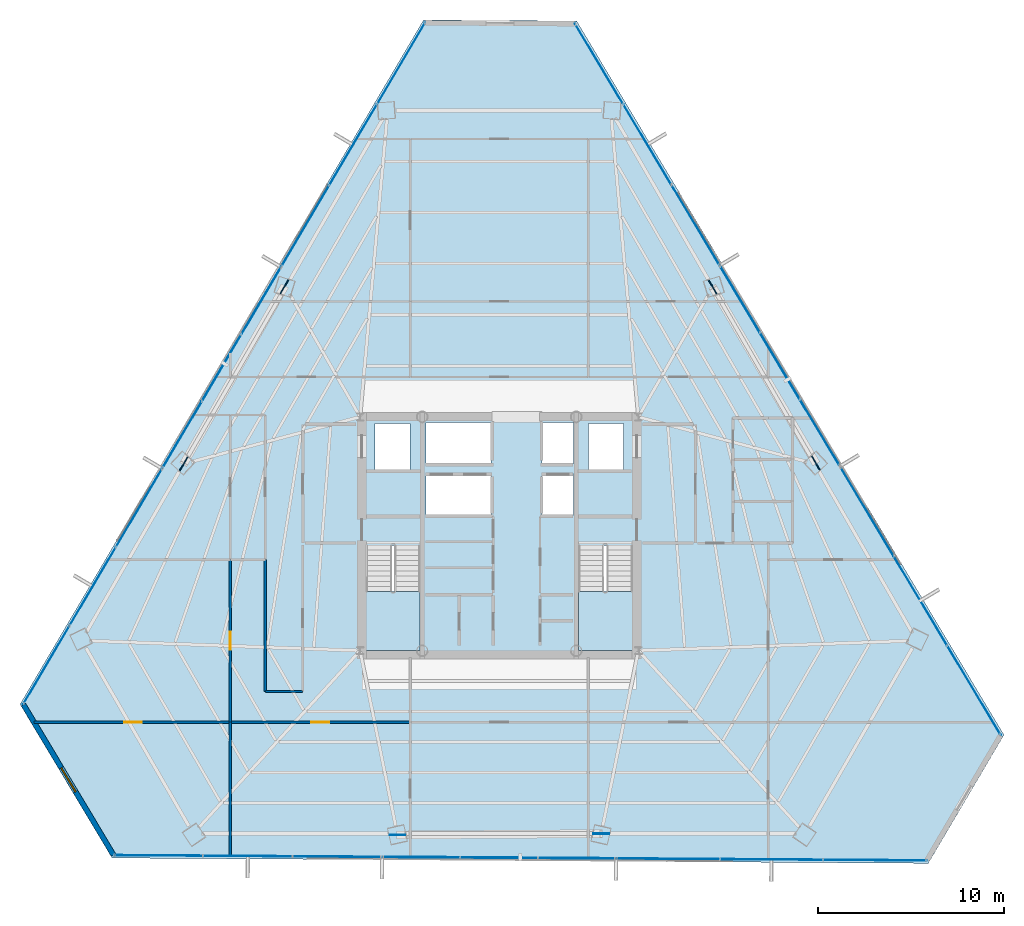
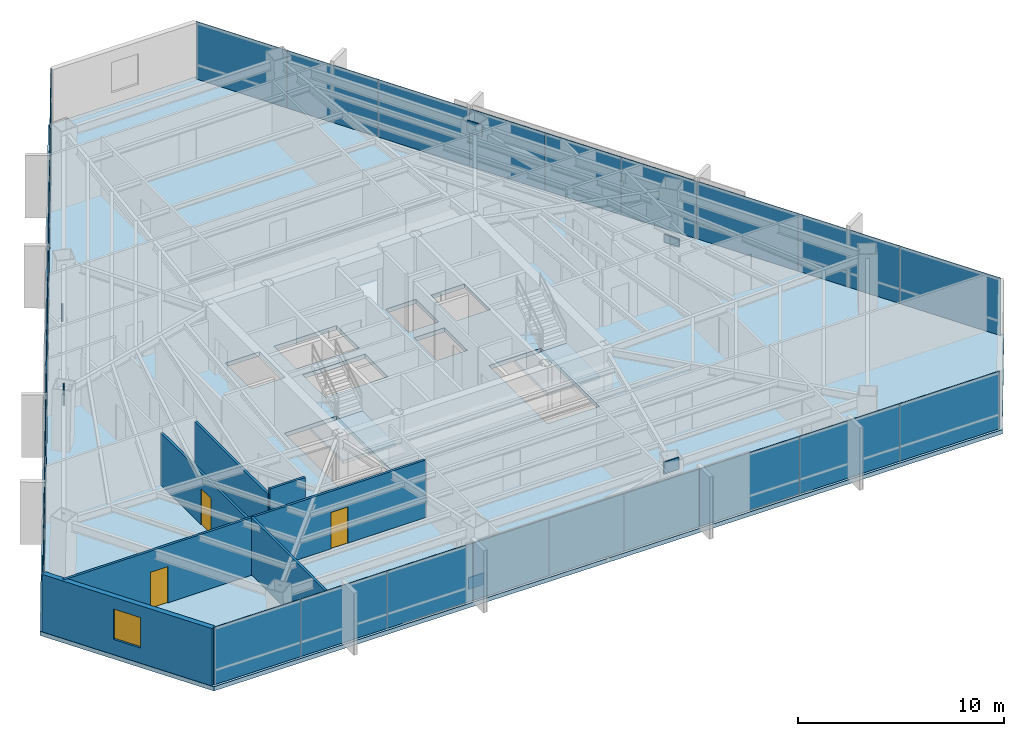
# One storey, part 35 of 41: 33 plates, 7 walls, 3 doors, 3 slabs, 1 window, 4 openings, 11 elements without a shape of their own.
"""IFC4 building model written with IfcOpenShell, lengths in metres."""

from ifc_helpers import new_model, si_unit, direction, frame, frame_2d, origin, origin_2d, place, context, subcontext, project, spatial, polyline, rectangle, outline, extrude, source, transform, mapped, material, layer, layer_set, type_object, type_shapes, element, fill, aggregate, save


model = new_model("IFC4")

# Units and contexts
model_context = context("Model", 3, precision=1e-05, world=origin(), true_north=direction((0.0, 1.0)))
body_context = subcontext(model_context, "Body", "Model", "MODEL_VIEW")
ifc_project = project(units=[si_unit("LENGTHUNIT", "METRE"), si_unit("AREAUNIT", "SQUARE_METRE"), si_unit("VOLUMEUNIT", "CUBIC_METRE"), si_unit("PLANEANGLEUNIT", "RADIAN"), si_unit("MASSUNIT", "GRAM", prefix="KILO")], contexts=[model_context])

# Site, building, storey
site_placement = place(None, origin())
site = spatial("IfcSite", under=ifc_project, at=site_placement, CompositionType="ELEMENT")
building_placement = place(site_placement, origin())
building = spatial("IfcBuilding", under=site, at=building_placement, Name="Caelisora Broadcast Tower", CompositionType="ELEMENT")
storey_placement = place(building_placement, frame((0.0, 0.0, 162.14990234375)))
storey = spatial("IfcBuildingStorey", under=building, at=storey_placement, Name="L42", CompositionType="ELEMENT", Elevation=162.14990234375)

# Slab
ifc_material_1 = material(Name="Concrete 40 MPa (AS 3600 N40)", Category="concrete")
ifc_layer_1 = layer(ifc_material_1, 0.25, Name="Concrete 40 MPa (AS 3600 N40)")
ifc_layer_set_1 = layer_set([ifc_layer_1], Name="Concrete 40 MPa (AS 3600 N40)")
slab_type_1 = type_object("IfcSlabType", Name="SL04", PredefinedType="FLOOR", material=ifc_layer_set_1)
slab_1_placement = place(storey_placement, frame((0.0, 0.0, -0.25)))
element("IfcSlab", 1, at=slab_1_placement, inside=storey, type_object=slab_type_1, Name="L42 suspended floor SL04", PredefinedType="FLOOR", context=body_context, shape_type="SweptSolid", body=[
    extrude(outline(polyline([(42.174072265625, 51.337890625), (33.919921875, 51.39208984375), (12.1708984375, 14.509033203125), (17.12890625, 6.22509765625), (61.126953125, 5.93701171875), (65.20703125, 12.85595703125), (42.174072265625, 51.337890625)]), holes=[polyline([(30.820068359375, 17.39990234375), (33.739990234375, 17.39990234375), (33.739990234375, 23.080078125), (30.820068359375, 23.080078125), (30.820068359375, 17.39990234375)]), polyline([(42.260009765625, 17.39990234375), (45.179931640625, 17.39990234375), (45.179931640625, 23.080078125), (42.260009765625, 23.080078125), (42.260009765625, 17.39990234375)]), polyline([(42.800048828125, 27.14990234375), (44.699951171875, 27.14990234375), (44.699951171875, 29.64990234375), (42.800048828125, 29.64990234375), (42.800048828125, 27.14990234375)]), polyline([(40.300048828125, 24.719970703125), (42.0, 24.719970703125), (42.0, 26.919921875), (40.300048828125, 26.919921875), (40.300048828125, 24.719970703125)]), polyline([(40.300048828125, 27.5), (42.0, 27.5), (42.0, 29.699951171875), (40.300048828125, 29.699951171875), (40.300048828125, 27.5)]), polyline([(34.050048828125, 24.719970703125), (37.550048828125, 24.719970703125), (37.550048828125, 26.919921875), (34.050048828125, 26.919921875), (34.050048828125, 24.719970703125)]), polyline([(34.050048828125, 27.5), (37.550048828125, 27.5), (37.550048828125, 29.699951171875), (34.050048828125, 29.699951171875), (34.050048828125, 27.5)]), polyline([(31.300048828125, 27.14990234375), (33.199951171875, 27.14990234375), (33.199951171875, 29.64990234375), (31.300048828125, 29.64990234375), (31.300048828125, 27.14990234375)])]), origin(), (0.0, 0.0, 1.0), 0.25),
])

# Stair, slab
stair_type_1 = type_object("IfcStairType", Name="ST-1", PredefinedType="HALF_TURN_STAIR", material=ifc_material_1)
stair_1_placement = place(storey_placement, origin())
stair_1 = element("IfcStair", 2, at=stair_1_placement, inside=storey, type_object=stair_type_1, Name="L42 West Fire-Isolated Tower Stair", PredefinedType="HALF_TURN_STAIR")
ifc_layer_2 = layer(ifc_material_1, 0.199951171875, Name="Concrete 40 MPa (AS 3600 N40)")
ifc_layer_set_2 = layer_set([ifc_layer_2], Name="Concrete 40 MPa (AS 3600 N40)")
slab_type_2 = type_object("IfcSlabType", Name="STL-1", PredefinedType="LANDING", material=ifc_layer_set_2)
slab_2_placement = place(storey_placement, frame((0.0, 0.0, 1.625)))
slab_2 = element("IfcSlab", 3, at=slab_2_placement, type_object=slab_type_2, Name="ST-1 landing 1", PredefinedType="LANDING", context=body_context, shape_type="SweptSolid", body=[
    extrude(outline(polyline([(30.820068359375, 20.580078125), (30.820068359375, 17.39990234375), (33.739990234375, 17.39990234375), (33.739990234375, 20.580078125), (30.820068359375, 20.580078125)])), origin(), (0.0, 0.0, 1.0), 0.2001953125),
])
aggregate(stair_1, [slab_2])

stair_type_2 = type_object("IfcStairType", Name="ST-2", PredefinedType="HALF_TURN_STAIR", material=ifc_material_1)
stair_2_placement = place(storey_placement, origin())
stair_2 = element("IfcStair", 4, at=stair_2_placement, inside=storey, type_object=stair_type_2, Name="L42 East Fire-Isolated Tower Stair", PredefinedType="HALF_TURN_STAIR")
slab_3_placement = place(storey_placement, frame((0.0, 0.0, 1.625)))
slab_3 = element("IfcSlab", 5, at=slab_3_placement, type_object=slab_type_2, Name="ST-2 landing 1", PredefinedType="LANDING", context=body_context, shape_type="SweptSolid", body=[
    extrude(outline(polyline([(42.260009765625, 20.580078125), (42.260009765625, 17.39990234375), (45.179931640625, 17.39990234375), (45.179931640625, 20.580078125), (42.260009765625, 20.580078125)])), origin(), (0.0, 0.0, 1.0), 0.2001953125),
])
aggregate(stair_2, [slab_3])

# Plates
ifc_material_2 = material(Name="Steel Grade 350 L15 (AS/NZS 3678)", Category="steel")
ifc_layer_3 = layer(ifc_material_2, 0.050048828125, Name="Steel Grade 350 L15 (AS/NZS 3678)")
ifc_layer_set_3 = layer_set([ifc_layer_3], Name="Steel Grade 350 L15 (AS/NZS 3678)")
plate_type_1 = type_object("IfcPlateType", Name="GP03", PredefinedType="USERDEFINED", material=ifc_layer_set_3)
shared_shape_1 = source(origin(), body_context, "Body", "SweptSolid", [
    extrude(rectangle(XDim=0.85009765625, YDim=0.050048828125, at=origin_2d()), origin(), (0.0, 0.0, 1.0), 0.699951171875),
])
type_shapes(plate_type_1, [shared_shape_1])
for number, where, z_axis, x_axis, name in (
    (6, (26.421142578125, 37.0146484375, -0.22998046875), (0.0, 0.0, 1.0), (-0.5, -0.866025403784, 0.0), "L42 gusset plate GP03 (ND-L42-C02B)"),
    (7, (20.993896484375, 27.469970703125, 2.72998046875), (0.0, 0.0, 1.0), (-0.5, -0.866025403784, 0.0), "L42 gusset plate GP03 (ND-L42-C03T)"),
    (8, (32.5185546875, 7.465087890625, -0.22998046875), (0.0, 0.0, 1.0), (1.0, 0.0, 0.0), "L42 gusset plate GP03 (ND-L42-C06B)"),
    (9, (43.497802734375, 7.537353515625, 2.72998046875), (0.0, 0.0, 1.0), (1.0, 0.0, 0.0), "L42 gusset plate GP03 (ND-L42-C07T)"),
    (10, (55.060302734375, 27.520263671875, -0.22998046875), (0.0, 0.0, 1.0), (-0.5, 0.866025403784, 0.0), "L42 gusset plate GP03 (ND-L42-C10B)"),
    (11, (49.508056640625, 36.99267578125, 2.72998046875), (0.0, 0.0, 1.0), (-0.5, 0.866025403784, 0.0), "L42 gusset plate GP03 (ND-L42-C11T)"),
):
    element("IfcPlate", number, at=place(storey_placement, frame(where, z_axis=z_axis, x_axis=x_axis)), inside=storey, type_object=plate_type_1, Name=name, ObjectType="GUSSET PLATE", PredefinedType="USERDEFINED", context=body_context, shape_type="MappedRepresentation", body=[
        mapped(shared_shape_1, transform((0.0, 0.0, 0.0), scale=1.0)),
    ])

# Curtain wall, plates
ifc_material_3 = material(Name="Unitised Aluminium and Low-E Glass Curtain Wall", Category="glass")
curtain_wall_type_1 = type_object("IfcCurtainWallType", Name="CW-Z3", PredefinedType="NOTDEFINED", material=ifc_material_3)
curtain_wall_1_placement = place(storey_placement, origin())
curtain_wall_1 = element("IfcCurtainWall", 12, at=curtain_wall_1_placement, inside=storey, type_object=curtain_wall_type_1, Name="L42 curtain wall CW-Z3", PredefinedType="NOTDEFINED")
ifc_material_4 = material(Name="Double Glazed Low-E Argon IGU", Category="glass")
ifc_layer_4 = layer(ifc_material_4, 0.031982421875, Name="Double Glazed Low-E Argon IGU")
ifc_layer_set_4 = layer_set([ifc_layer_4], Name="Double Glazed Low-E Argon IGU")
plate_type_2 = type_object("IfcPlateType", Name="CWP-04", PredefinedType="CURTAIN_PANEL", material=ifc_layer_set_4)
shared_shape_2 = source(origin(), body_context, "Body", "SweptSolid", [
    extrude(rectangle(XDim=5.0595703125, YDim=0.031982421875, at=origin_2d()), origin(), (0.0, 0.0, 1.0), 3.39990234375),
])
plate_1_placement = place(storey_placement, frame((43.38818359375, 49.018310546875, 0.000244140625), z_axis=(0.0, 0.0, 1.0), x_axis=(0.513541252058, -0.858064905724, 0.0)))
plate_1 = element("IfcPlate", 13, at=plate_1_placement, type_object=plate_type_2, Name="L42-CW-B01 glazed panel #1", PredefinedType="CURTAIN_PANEL", context=body_context, shape_type="MappedRepresentation", body=[
    mapped(shared_shape_2, transform((0.0, 0.0, 0.0), scale=1.0)),
])
plate_2_placement = place(storey_placement, frame((45.98681640625, 44.677001953125, 0.000244140625), z_axis=(0.0, 0.0, 1.0), x_axis=(0.513541252058, -0.858064905724, 0.0)))
plate_2 = element("IfcPlate", 14, at=plate_2_placement, type_object=plate_type_2, Name="L42-CW-B01 glazed panel #2", PredefinedType="CURTAIN_PANEL", context=body_context, shape_type="MappedRepresentation", body=[
    mapped(shared_shape_2, transform((0.0, 0.0, 0.0), scale=1.0)),
])
plate_3_placement = place(storey_placement, frame((48.585205078125, 40.33544921875, 0.000244140625), z_axis=(0.0, 0.0, 1.0), x_axis=(0.513541252058, -0.858064905724, 0.0)))
plate_3 = element("IfcPlate", 15, at=plate_3_placement, type_object=plate_type_2, Name="L42-CW-B01 glazed panel #3", PredefinedType="CURTAIN_PANEL", context=body_context, shape_type="MappedRepresentation", body=[
    mapped(shared_shape_2, transform((0.0, 0.0, 0.0), scale=1.0)),
])
aggregate(curtain_wall_1, [plate_1, plate_2, plate_3])

ifc_material_5 = material(Name="Unitised Aluminium Insulated Shadow-Box Spandrel Curtain Wall", Category="aluminium")
curtain_wall_type_2 = type_object("IfcCurtainWallType", Name="CW-SP2", PredefinedType="NOTDEFINED", material=ifc_material_5)
curtain_wall_2_placement = place(storey_placement, origin())
curtain_wall_2 = element("IfcCurtainWall", 16, at=curtain_wall_2_placement, inside=storey, type_object=curtain_wall_type_2, Name="L42 curtain wall CW-SP2", PredefinedType="NOTDEFINED")
ifc_material_6 = material(Name="Insulated Terracotta Shadow-Box Spandrel Panel", Category="aluminium")
ifc_layer_5 = layer(ifc_material_6, 0.0439453125, Name="Insulated Terracotta Shadow-Box Spandrel Panel")
ifc_layer_set_5 = layer_set([ifc_layer_5], Name="Insulated Terracotta Shadow-Box Spandrel Panel")
plate_type_3 = type_object("IfcPlateType", Name="CWP-10", PredefinedType="CURTAIN_PANEL", material=ifc_layer_set_5)
shared_shape_3 = source(origin(), body_context, "Body", "SweptSolid", [
    extrude(rectangle(XDim=4.20068359375, YDim=0.0439453125, at=origin_2d()), origin(), (0.0, 0.0, 1.0), 3.39990234375),
])
plate_4_placement = place(storey_placement, frame((50.96826171875, 36.35400390625, 0.000244140625), z_axis=(0.0, 0.0, 1.0), x_axis=(0.513541252058, -0.858064905724, 0.0)))
plate_4 = element("IfcPlate", 17, at=plate_4_placement, type_object=plate_type_3, Name="L42-CW-B02 spandrel panel #1", PredefinedType="CURTAIN_PANEL", context=body_context, shape_type="MappedRepresentation", body=[
    mapped(shared_shape_3, transform((0.0, 0.0, 0.0), scale=1.0)),
])
plate_5_placement = place(storey_placement, frame((53.12548828125, 32.749755859375, 0.000244140625), z_axis=(0.0, 0.0, 1.0), x_axis=(0.513541252058, -0.858064905724, 0.0)))
plate_5 = element("IfcPlate", 18, at=plate_5_placement, type_object=plate_type_3, Name="L42-CW-B02 spandrel panel #2", PredefinedType="CURTAIN_PANEL", context=body_context, shape_type="MappedRepresentation", body=[
    mapped(shared_shape_3, transform((0.0, 0.0, 0.0), scale=1.0)),
])
plate_6_placement = place(storey_placement, frame((55.28271484375, 29.1455078125, 0.000244140625), z_axis=(0.0, 0.0, 1.0), x_axis=(0.513541252058, -0.858064905724, 0.0)))
plate_6 = element("IfcPlate", 19, at=plate_6_placement, type_object=plate_type_3, Name="L42-CW-B02 spandrel panel #3", PredefinedType="CURTAIN_PANEL", context=body_context, shape_type="MappedRepresentation", body=[
    mapped(shared_shape_3, transform((0.0, 0.0, 0.0), scale=1.0)),
])
aggregate(curtain_wall_2, [plate_4, plate_5, plate_6])

curtain_wall_3_placement = place(storey_placement, origin())
curtain_wall_3 = element("IfcCurtainWall", 20, at=curtain_wall_3_placement, inside=storey, type_object=curtain_wall_type_1, Name="L42 curtain wall CW-Z3", PredefinedType="NOTDEFINED")
shared_shape_4 = source(origin(), body_context, "Body", "SweptSolid", [
    extrude(rectangle(XDim=5.625, YDim=0.031982421875, at=origin_2d()), origin(), (0.0, 0.0, 1.0), 3.39990234375),
])
plate_7_placement = place(storey_placement, frame((57.810791015625, 24.92138671875, 0.000244140625), z_axis=(0.0, 0.0, 1.0), x_axis=(0.513541252058, -0.858064905724, 0.0)))
plate_7 = element("IfcPlate", 21, at=plate_7_placement, type_object=plate_type_2, Name="L42-CW-B03 glazed panel #1", PredefinedType="CURTAIN_PANEL", context=body_context, shape_type="MappedRepresentation", body=[
    mapped(shared_shape_4, transform((0.0, 0.0, 0.0), scale=1.0)),
])
plate_8_placement = place(storey_placement, frame((60.69970703125, 20.094970703125, 0.000244140625), z_axis=(0.0, 0.0, 1.0), x_axis=(0.513541252058, -0.858064905724, 0.0)))
plate_8 = element("IfcPlate", 22, at=plate_8_placement, type_object=plate_type_2, Name="L42-CW-B03 glazed panel #2", PredefinedType="CURTAIN_PANEL", context=body_context, shape_type="MappedRepresentation", body=[
    mapped(shared_shape_4, transform((0.0, 0.0, 0.0), scale=1.0)),
])
plate_9_placement = place(storey_placement, frame((63.588623046875, 15.268310546875, 0.000244140625), z_axis=(0.0, 0.0, 1.0), x_axis=(0.513541252058, -0.858064905724, 0.0)))
plate_9 = element("IfcPlate", 23, at=plate_9_placement, type_object=plate_type_2, Name="L42-CW-B03 glazed panel #3", PredefinedType="CURTAIN_PANEL", context=body_context, shape_type="MappedRepresentation", body=[
    mapped(shared_shape_4, transform((0.0, 0.0, 0.0), scale=1.0)),
])
aggregate(curtain_wall_3, [plate_7, plate_8, plate_9])

curtain_wall_4_placement = place(storey_placement, origin())
curtain_wall_4 = element("IfcCurtainWall", 24, at=curtain_wall_4_placement, inside=storey, type_object=curtain_wall_type_1, Name="L42 curtain wall CW-Z3", PredefinedType="NOTDEFINED")
shared_shape_5 = source(origin(), body_context, "Body", "SweptSolid", [
    extrude(rectangle(XDim=5.57958984375, YDim=0.031982421875, at=origin_2d()), origin(), (0.0, 0.0, 1.0), 3.39990234375),
])
plate_10_placement = place(storey_placement, frame((58.252197265625, 6.106201171875, 0.000244140625), z_axis=(0.0, 0.0, 1.0), x_axis=(-0.99997914901, 0.006457673349, 0.0)))
plate_10 = element("IfcPlate", 25, at=plate_10_placement, type_object=plate_type_2, Name="L42-CW-B05 glazed panel #1", PredefinedType="CURTAIN_PANEL", context=body_context, shape_type="MappedRepresentation", body=[
    mapped(shared_shape_5, transform((0.0, 0.0, 0.0), scale=1.0)),
])
plate_11_placement = place(storey_placement, frame((52.672607421875, 6.142578125, 0.000244140625), z_axis=(0.0, 0.0, 1.0), x_axis=(-0.99997914901, 0.006457673349, 0.0)))
plate_11 = element("IfcPlate", 26, at=plate_11_placement, type_object=plate_type_2, Name="L42-CW-B05 glazed panel #2", PredefinedType="CURTAIN_PANEL", context=body_context, shape_type="MappedRepresentation", body=[
    mapped(shared_shape_5, transform((0.0, 0.0, 0.0), scale=1.0)),
])
plate_12_placement = place(storey_placement, frame((47.093017578125, 6.178955078125, 0.000244140625), z_axis=(0.0, 0.0, 1.0), x_axis=(-0.99997914901, 0.006457673349, 0.0)))
plate_12 = element("IfcPlate", 27, at=plate_12_placement, type_object=plate_type_2, Name="L42-CW-B05 glazed panel #3", PredefinedType="CURTAIN_PANEL", context=body_context, shape_type="MappedRepresentation", body=[
    mapped(shared_shape_5, transform((0.0, 0.0, 0.0), scale=1.0)),
])
aggregate(curtain_wall_4, [plate_10, plate_11, plate_12])

curtain_wall_5_placement = place(storey_placement, origin())
curtain_wall_5 = element("IfcCurtainWall", 28, at=curtain_wall_5_placement, inside=storey, type_object=curtain_wall_type_2, Name="L42 curtain wall CW-SP2", PredefinedType="NOTDEFINED")
shared_shape_6 = source(origin(), body_context, "Body", "SweptSolid", [
    extrude(rectangle(XDim=4.200927734375, YDim=0.0439453125, at=origin_2d()), origin(), (0.0, 0.0, 1.0), 3.39990234375),
])
type_shapes(plate_type_3, [shared_shape_3, shared_shape_6])
plate_13_placement = place(storey_placement, frame((42.19287109375, 6.2109375, 0.000244140625), z_axis=(0.0, 0.0, 1.0), x_axis=(-0.99997914901, 0.006457673349, 0.0)))
plate_13 = element("IfcPlate", 29, at=plate_13_placement, type_object=plate_type_3, Name="L42-CW-B06 spandrel panel #1", PredefinedType="CURTAIN_PANEL", context=body_context, shape_type="MappedRepresentation", body=[
    mapped(shared_shape_6, transform((0.0, 0.0, 0.0), scale=1.0)),
])
plate_14_placement = place(storey_placement, frame((37.991943359375, 6.23828125, 0.000244140625), z_axis=(0.0, 0.0, 1.0), x_axis=(-0.99997914901, 0.006457673349, 0.0)))
plate_14 = element("IfcPlate", 30, at=plate_14_placement, type_object=plate_type_3, Name="L42-CW-B06 spandrel panel #2", PredefinedType="CURTAIN_PANEL", context=body_context, shape_type="MappedRepresentation", body=[
    mapped(shared_shape_6, transform((0.0, 0.0, 0.0), scale=1.0)),
])
plate_15_placement = place(storey_placement, frame((33.791259765625, 6.265869140625, 0.000244140625), z_axis=(0.0, 0.0, 1.0), x_axis=(-0.99997914901, 0.006457673349, 0.0)))
plate_15 = element("IfcPlate", 31, at=plate_15_placement, type_object=plate_type_3, Name="L42-CW-B06 spandrel panel #3", PredefinedType="CURTAIN_PANEL", context=body_context, shape_type="MappedRepresentation", body=[
    mapped(shared_shape_6, transform((0.0, 0.0, 0.0), scale=1.0)),
])
aggregate(curtain_wall_5, [plate_13, plate_14, plate_15])

curtain_wall_6_placement = place(storey_placement, origin())
curtain_wall_6 = element("IfcCurtainWall", 32, at=curtain_wall_6_placement, inside=storey, type_object=curtain_wall_type_2, Name="L42 curtain wall CW-SP2", PredefinedType="NOTDEFINED")
plate_16_placement = place(storey_placement, frame((20.905517578125, 29.02685546875, 0.000244140625), z_axis=(0.0, 0.0, 1.0), x_axis=(0.507989441341, 0.861363295878, 0.0)))
plate_16 = element("IfcPlate", 33, at=plate_16_placement, type_object=plate_type_3, Name="L42-CW-B10 spandrel panel #1", PredefinedType="CURTAIN_PANEL", context=body_context, shape_type="MappedRepresentation", body=[
    mapped(shared_shape_6, transform((0.0, 0.0, 0.0), scale=1.0)),
])
plate_17_placement = place(storey_placement, frame((23.039306640625, 32.6455078125, 0.000244140625), z_axis=(0.0, 0.0, 1.0), x_axis=(0.507989441341, 0.861363295878, 0.0)))
plate_17 = element("IfcPlate", 34, at=plate_17_placement, type_object=plate_type_3, Name="L42-CW-B10 spandrel panel #2", PredefinedType="CURTAIN_PANEL", context=body_context, shape_type="MappedRepresentation", body=[
    mapped(shared_shape_6, transform((0.0, 0.0, 0.0), scale=1.0)),
])
plate_18_placement = place(storey_placement, frame((25.173095703125, 36.263916015625, 0.000244140625), z_axis=(0.0, 0.0, 1.0), x_axis=(0.507989441341, 0.861363295878, 0.0)))
plate_18 = element("IfcPlate", 35, at=plate_18_placement, type_object=plate_type_3, Name="L42-CW-B10 spandrel panel #3", PredefinedType="CURTAIN_PANEL", context=body_context, shape_type="MappedRepresentation", body=[
    mapped(shared_shape_6, transform((0.0, 0.0, 0.0), scale=1.0)),
])
aggregate(curtain_wall_6, [plate_16, plate_17, plate_18])

curtain_wall_7_placement = place(storey_placement, origin())
curtain_wall_7 = element("IfcCurtainWall", 36, at=curtain_wall_7_placement, inside=storey, type_object=curtain_wall_type_1, Name="L42 curtain wall CW-Z3", PredefinedType="NOTDEFINED")
shared_shape_7 = source(origin(), body_context, "Body", "SweptSolid", [
    extrude(rectangle(XDim=4.822509765625, YDim=0.031982421875, at=origin_2d()), origin(), (0.0, 0.0, 1.0), 3.39990234375),
])
plate_19_placement = place(storey_placement, frame((29.26953125, 6.29541015625, 0.000244140625), z_axis=(0.0, 0.0, 1.0), x_axis=(-0.99997914901, 0.006457673349, 0.0)))
plate_19 = element("IfcPlate", 37, at=plate_19_placement, type_object=plate_type_2, Name="L42-CW-B07 glazed panel #1", PredefinedType="CURTAIN_PANEL", context=body_context, shape_type="MappedRepresentation", body=[
    mapped(shared_shape_7, transform((0.0, 0.0, 0.0), scale=1.0)),
])
plate_20_placement = place(storey_placement, frame((24.447509765625, 6.326904296875, 0.000244140625), z_axis=(0.0, 0.0, 1.0), x_axis=(-0.99997914901, 0.006457673349, 0.0)))
plate_20 = element("IfcPlate", 38, at=plate_20_placement, type_object=plate_type_2, Name="L42-CW-B07 glazed panel #2", PredefinedType="CURTAIN_PANEL", context=body_context, shape_type="MappedRepresentation", body=[
    mapped(shared_shape_7, transform((0.0, 0.0, 0.0), scale=1.0)),
])
plate_21_placement = place(storey_placement, frame((19.625, 6.3583984375, 0.000244140625), z_axis=(0.0, 0.0, 1.0), x_axis=(-0.99997914901, 0.006457673349, 0.0)))
plate_21 = element("IfcPlate", 39, at=plate_21_placement, type_object=plate_type_2, Name="L42-CW-B07 glazed panel #3", PredefinedType="CURTAIN_PANEL", context=body_context, shape_type="MappedRepresentation", body=[
    mapped(shared_shape_7, transform((0.0, 0.0, 0.0), scale=1.0)),
])
aggregate(curtain_wall_7, [plate_19, plate_20, plate_21])

curtain_wall_8_placement = place(storey_placement, origin())
curtain_wall_8 = element("IfcCurtainWall", 40, at=curtain_wall_8_placement, inside=storey, type_object=curtain_wall_type_1, Name="L42 curtain wall CW-Z3", PredefinedType="NOTDEFINED")
shared_shape_8 = source(origin(), body_context, "Body", "SweptSolid", [
    extrude(rectangle(XDim=4.914306640625, YDim=0.031982421875, at=origin_2d()), origin(), (0.0, 0.0, 1.0), 3.39990234375),
])
plate_22_placement = place(storey_placement, frame((13.593017578125, 16.62646484375, 0.000244140625), z_axis=(0.0, 0.0, 1.0), x_axis=(0.507989441341, 0.861363295878, 0.0)))
plate_22 = element("IfcPlate", 41, at=plate_22_placement, type_object=plate_type_2, Name="L42-CW-B09 glazed panel #1", PredefinedType="CURTAIN_PANEL", context=body_context, shape_type="MappedRepresentation", body=[
    mapped(shared_shape_8, transform((0.0, 0.0, 0.0), scale=1.0)),
])
plate_23_placement = place(storey_placement, frame((16.08935546875, 20.859619140625, 0.000244140625), z_axis=(0.0, 0.0, 1.0), x_axis=(0.507989441341, 0.861363295878, 0.0)))
plate_23 = element("IfcPlate", 42, at=plate_23_placement, type_object=plate_type_2, Name="L42-CW-B09 glazed panel #2", PredefinedType="CURTAIN_PANEL", context=body_context, shape_type="MappedRepresentation", body=[
    mapped(shared_shape_8, transform((0.0, 0.0, 0.0), scale=1.0)),
])
plate_24_placement = place(storey_placement, frame((18.58544921875, 25.092529296875, 0.000244140625), z_axis=(0.0, 0.0, 1.0), x_axis=(0.507989441341, 0.861363295878, 0.0)))
plate_24 = element("IfcPlate", 43, at=plate_24_placement, type_object=plate_type_2, Name="L42-CW-B09 glazed panel #3", PredefinedType="CURTAIN_PANEL", context=body_context, shape_type="MappedRepresentation", body=[
    mapped(shared_shape_8, transform((0.0, 0.0, 0.0), scale=1.0)),
])
aggregate(curtain_wall_8, [plate_22, plate_23, plate_24])

curtain_wall_9_placement = place(storey_placement, origin())
curtain_wall_9 = element("IfcCurtainWall", 44, at=curtain_wall_9_placement, inside=storey, type_object=curtain_wall_type_1, Name="L42 curtain wall CW-Z3", PredefinedType="NOTDEFINED")
shared_shape_9 = source(origin(), body_context, "Body", "SweptSolid", [
    extrude(rectangle(XDim=5.09228515625, YDim=0.031982421875, at=origin_2d()), origin(), (0.0, 0.0, 1.0), 3.39990234375),
])
type_shapes(plate_type_2, [shared_shape_2, shared_shape_4, shared_shape_5, shared_shape_7, shared_shape_8, shared_shape_9])
plate_25_placement = place(storey_placement, frame((27.53857421875, 40.275146484375, 0.000244140625), z_axis=(0.0, 0.0, 1.0), x_axis=(0.507989441341, 0.861363295878, 0.0)))
plate_25 = element("IfcPlate", 45, at=plate_25_placement, type_object=plate_type_2, Name="L42-CW-B11 glazed panel #1", PredefinedType="CURTAIN_PANEL", context=body_context, shape_type="MappedRepresentation", body=[
    mapped(shared_shape_9, transform((0.0, 0.0, 0.0), scale=1.0)),
])
plate_26_placement = place(storey_placement, frame((30.125, 44.66162109375, 0.000244140625), z_axis=(0.0, 0.0, 1.0), x_axis=(0.507989441341, 0.861363295878, 0.0)))
plate_26 = element("IfcPlate", 46, at=plate_26_placement, type_object=plate_type_2, Name="L42-CW-B11 glazed panel #2", PredefinedType="CURTAIN_PANEL", context=body_context, shape_type="MappedRepresentation", body=[
    mapped(shared_shape_9, transform((0.0, 0.0, 0.0), scale=1.0)),
])
plate_27_placement = place(storey_placement, frame((32.711669921875, 49.0478515625, 0.000244140625), z_axis=(0.0, 0.0, 1.0), x_axis=(0.507989441341, 0.861363295878, 0.0)))
plate_27 = element("IfcPlate", 47, at=plate_27_placement, type_object=plate_type_2, Name="L42-CW-B11 glazed panel #3", PredefinedType="CURTAIN_PANEL", context=body_context, shape_type="MappedRepresentation", body=[
    mapped(shared_shape_9, transform((0.0, 0.0, 0.0), scale=1.0)),
])
aggregate(curtain_wall_9, [plate_25, plate_26, plate_27])

# Wall, opening, window
ifc_material_7 = material(Name="Insulated Terracotta Spandrel Wall System", Category="masonry")
ifc_layer_6 = layer(ifc_material_7, 0.280029296875, Name="Insulated Terracotta Spandrel Wall System")
ifc_layer_set_6 = layer_set([ifc_layer_6], Name="Insulated Terracotta Spandrel Wall System")
wall_type_1 = type_object("IfcWallType", Name="EW1", PredefinedType="STANDARD", material=ifc_layer_set_6)
wall_1_placement = place(storey_placement, frame((17.198486328125, 6.399658203125, 0.0), z_axis=(0.0, 0.0, 1.0), x_axis=(-0.513504646438, 0.858086812675, 0.0)))
wall_1 = element("IfcWall", 48, at=wall_1_placement, inside=storey, type_object=wall_type_1, Name="L42 exterior envelope wall EW1", PredefinedType="STANDARD", context=body_context, shape_type="SweptSolid", body=[
    extrude(rectangle(XDim=9.421875, YDim=0.280029296875, at=frame_2d((4.7109375, 0.0))), origin(), (0.0, 0.0, 1.0), 3.400146484375),
])
opening_1_placement = place(wall_1_placement, frame((3.9599609375, 0.0, 0.89990234375)))
opening_1 = element("IfcOpeningElement", 49, at=opening_1_placement, cuts=wall_1, Name="Opening W02", PredefinedType="OPENING", context=body_context, shape_type="SweptSolid", body=[
    extrude(rectangle(XDim=1.5, YDim=1.800048828125, at=frame_2d((0.75, 0.89990234375))), frame((0.0, 0.152099609375, 0.0), z_axis=(0.0, -1.0, 0.0), x_axis=(1.0, 0.0, 0.0)), (0.0, 0.0, 1.0), 0.303955078125),
])
ifc_material_8 = material(Name="Double Glazed Terracotta-Framed Vision Window", Category="glass")
window_type = type_object("IfcWindowType", Name="W02", PartitioningType="SINGLE_PANEL", PredefinedType="WINDOW", material=ifc_material_8)
window_placement = place(opening_1_placement, origin())
window = element("IfcWindow", 50, at=window_placement, inside=storey, type_object=window_type, Name="L42 window W02 (L42-WN-CH4)", OverallHeight=1.800048828125, OverallWidth=1.5, PartitioningType="SINGLE_PANEL", PredefinedType="WINDOW", context=body_context, shape_type="SweptSolid", body=[
    extrude(rectangle(XDim=1.5, YDim=1.800048828125, at=frame_2d((0.75, 0.89990234375))), frame((0.0, 0.030029296875, 0.0), z_axis=(0.0, -1.0, 0.0), x_axis=(1.0, 0.0, 0.0)), (0.0, 0.0, 1.0), 0.06005859375),
])
fill(opening_1, window)

# Wall, opening, door
ifc_material_9 = material(Name="Acoustic Steel-Stud Plasterboard Partition", Category="gypsum")
ifc_layer_7 = layer(ifc_material_9, 0.1298828125, Name="Acoustic Steel-Stud Plasterboard Partition")
ifc_layer_set_7 = layer_set([ifc_layer_7], Name="Acoustic Steel-Stud Plasterboard Partition")
wall_type_2 = type_object("IfcWallType", Name="PW3", PredefinedType="PARTITIONING", material=ifc_layer_set_7)
wall_2_placement = place(storey_placement, frame((12.9140625, 13.550048828125, 0.0), z_axis=(0.0, 0.0, 1.0), x_axis=(1.0, 0.0, 0.0)))
wall_2 = element("IfcWall", 51, at=wall_2_placement, inside=storey, type_object=wall_type_2, Name="L42 internal partition PW3", PredefinedType="PARTITIONING", context=body_context, shape_type="SweptSolid", body=[
    extrude(rectangle(XDim=10.5810546875, YDim=0.1298828125, at=frame_2d((5.29052734375, 0.0))), origin(), (0.0, 0.0, 1.0), 3.400146484375),
])
opening_2_placement = place(wall_2_placement, frame((4.863037109375, 0.0, 0.0)))
opening_2 = element("IfcOpeningElement", 52, at=opening_2_placement, cuts=wall_2, Name="Opening D01", PredefinedType="OPENING", context=body_context, shape_type="SweptSolid", body=[
    extrude(rectangle(XDim=0.9599609375, YDim=2.14990234375, at=frame_2d((0.47998046875, 1.074951171875))), frame((0.0, 0.076904296875, 0.0), z_axis=(0.0, -1.0, 0.0), x_axis=(1.0, 0.0, 0.0)), (0.0, 0.0, 1.0), 0.15380859375),
])
ifc_material_10 = material(Name="Solid-Core Timber Acoustic Office Door", Category="wood")
door_type = type_object("IfcDoorType", Name="D01", OperationType="NOTDEFINED", PredefinedType="DOOR", material=ifc_material_10)
door_1_placement = place(opening_2_placement, origin())
door_1 = element("IfcDoor", 53, at=door_1_placement, inside=storey, type_object=door_type, Name="L42 door D01 (L42-DR-P32D1)", OperationType="SINGLE_SWING_LEFT", OverallHeight=2.14990234375, OverallWidth=0.9599609375, PredefinedType="DOOR", context=body_context, shape_type="SweptSolid", body=[
    extrude(rectangle(XDim=0.9599609375, YDim=2.14990234375, at=frame_2d((0.47998046875, 1.074951171875))), frame((0.0, 0.02490234375, 0.0), z_axis=(0.0, -1.0, 0.0), x_axis=(1.0, 0.0, 0.0)), (0.0, 0.0, 1.0), 0.050048828125),
])
fill(opening_2, door_1)

wall_3_placement = place(storey_placement, frame((23.5048828125, 13.550048828125, 0.0), z_axis=(0.0, 0.0, 1.0), x_axis=(1.0, 0.0, 0.0)))
wall_3 = element("IfcWall", 54, at=wall_3_placement, inside=storey, type_object=wall_type_2, Name="L42 internal partition PW3", PredefinedType="PARTITIONING", context=body_context, shape_type="SweptSolid", body=[
    extrude(rectangle(XDim=9.690185546875, YDim=0.1298828125, at=frame_2d((4.84521484375, 0.0))), origin(), (0.0, 0.0, 1.0), 3.400146484375),
])
opening_3_placement = place(wall_3_placement, frame((4.364990234375, 0.0, 0.0)))
opening_3 = element("IfcOpeningElement", 55, at=opening_3_placement, cuts=wall_3, Name="Opening D01", PredefinedType="OPENING", context=body_context, shape_type="SweptSolid", body=[
    extrude(rectangle(XDim=0.9599609375, YDim=2.14990234375, at=frame_2d((0.47998046875, 1.074951171875))), frame((0.0, 0.076904296875, 0.0), z_axis=(0.0, -1.0, 0.0), x_axis=(1.0, 0.0, 0.0)), (0.0, 0.0, 1.0), 0.15380859375),
])
door_2_placement = place(opening_3_placement, origin())
door_2 = element("IfcDoor", 56, at=door_2_placement, inside=storey, type_object=door_type, Name="L42 door D01 (L42-DR-P36D1)", OperationType="SINGLE_SWING_RIGHT", OverallHeight=2.14990234375, OverallWidth=0.9599609375, PredefinedType="DOOR", context=body_context, shape_type="SweptSolid", body=[
    extrude(rectangle(XDim=0.9599609375, YDim=2.14990234375, at=frame_2d((0.47998046875, 1.074951171875))), frame((0.0, 0.02490234375, 0.0), z_axis=(0.0, -1.0, 0.0), x_axis=(1.0, 0.0, 0.0)), (0.0, 0.0, 1.0), 0.050048828125),
])
fill(opening_3, door_2)

wall_4_placement = place(storey_placement, frame((23.5, 13.554931640625, 0.0), z_axis=(0.0, 0.0, 1.0), x_axis=(0.0, 1.0, 0.0)))
wall_4 = element("IfcWall", 57, at=wall_4_placement, inside=storey, type_object=wall_type_2, Name="L42 internal partition PW3", PredefinedType="PARTITIONING", context=body_context, shape_type="SweptSolid", body=[
    extrude(rectangle(XDim=8.75, YDim=0.1298828125, at=frame_2d((4.375, 0.0))), origin(), (0.0, 0.0, 1.0), 3.077880859375),
])
opening_4_placement = place(wall_4_placement, frame((3.89501953125, 0.0, 0.0)))
opening_4 = element("IfcOpeningElement", 58, at=opening_4_placement, cuts=wall_4, Name="Opening D01", PredefinedType="OPENING", context=body_context, shape_type="SweptSolid", body=[
    extrude(rectangle(XDim=0.9599609375, YDim=2.14990234375, at=frame_2d((0.47998046875, 1.074951171875))), frame((0.0, 0.076904296875, 0.0), z_axis=(0.0, -1.0, 0.0), x_axis=(1.0, 0.0, 0.0)), (0.0, 0.0, 1.0), 0.15380859375),
])
door_3_placement = place(opening_4_placement, origin())
door_3 = element("IfcDoor", 59, at=door_3_placement, inside=storey, type_object=door_type, Name="L42 door D01 (L42-DR-P42D1)", OperationType="SINGLE_SWING_RIGHT", OverallHeight=2.14990234375, OverallWidth=0.9599609375, PredefinedType="DOOR", context=body_context, shape_type="SweptSolid", body=[
    extrude(rectangle(XDim=0.9599609375, YDim=2.14990234375, at=frame_2d((0.47998046875, 1.074951171875))), frame((0.0, 0.02490234375, 0.0), z_axis=(0.0, -1.0, 0.0), x_axis=(1.0, 0.0, 0.0)), (0.0, 0.0, 1.0), 0.050048828125),
])
fill(opening_4, door_3)

# Walls
wall_5_placement = place(storey_placement, frame((23.5, 6.328369140625, 0.0), z_axis=(0.0, 0.0, 1.0), x_axis=(0.0, 1.0, 0.0)))
element("IfcWall", 60, at=wall_5_placement, inside=storey, type_object=wall_type_2, Name="L42 internal partition PW3", PredefinedType="PARTITIONING", context=body_context, shape_type="SweptSolid", body=[
    extrude(rectangle(XDim=7.216552734375, YDim=0.1298828125, at=frame_2d((3.6083984375, 0.0))), origin(), (0.0, 0.0, 1.0), 3.400146484375),
])
wall_6_placement = place(storey_placement, frame((25.39990234375, 22.304931640625, 0.0), z_axis=(0.0, 0.0, 1.0), x_axis=(0.0, -1.0, 0.0)))
element("IfcWall", 61, at=wall_6_placement, inside=storey, type_object=wall_type_2, Name="L42 internal partition PW3", PredefinedType="PARTITIONING", context=body_context, shape_type="SweptSolid", body=[
    extrude(rectangle(XDim=7.099853515625, YDim=0.1298828125, at=frame_2d((3.5498046875, 0.0))), origin(), (0.0, 0.0, 1.0), 3.077880859375),
])
wall_7_placement = place(storey_placement, frame((25.405029296875, 15.199951171875, 0.0), z_axis=(0.0, 0.0, 1.0), x_axis=(1.0, 0.0, 0.0)))
element("IfcWall", 62, at=wall_7_placement, inside=storey, type_object=wall_type_2, Name="L42 internal partition PW3", PredefinedType="PARTITIONING", context=body_context, shape_type="SweptSolid", body=[
    extrude(rectangle(XDim=1.989990234375, YDim=0.1298828125, at=frame_2d((0.9951171875, 0.0))), origin(), (0.0, 0.0, 1.0), 3.400146484375),
])

save(model, "model.ifc")
